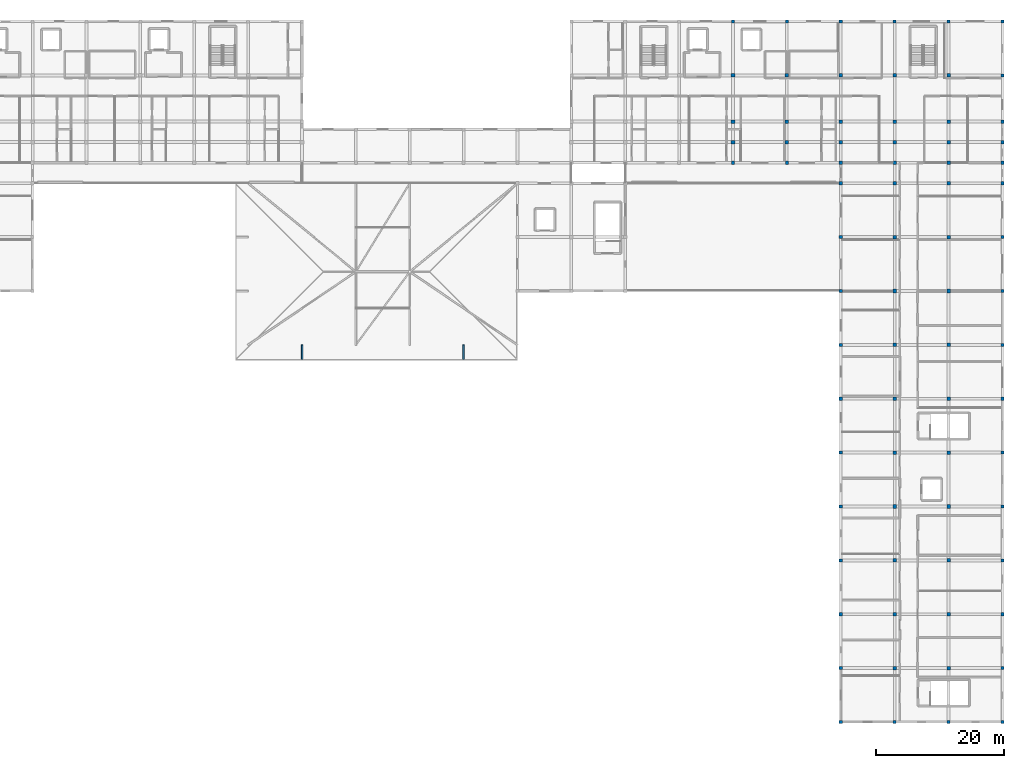
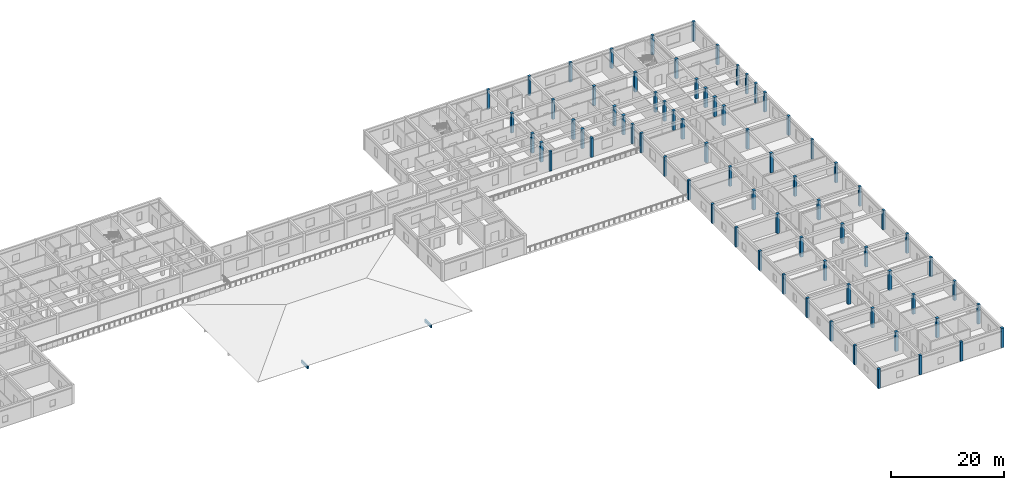
# One storey, part 2 of 28: 74 columns, 2 beams.
"""IFC4 building model written with IfcOpenShell, lengths in metres."""

from ifc_helpers import new_model, si_unit, direction, frame, origin, origin_2d, place, context, subcontext, project, spatial, rectangle, extrude, material, material_profile, profile_set, type_object, element, save


model = new_model("IFC4")

# Units and contexts
model_context = context("Model", 3, precision=1e-05, world=origin(), true_north=direction((0.0, 1.0)))
body_context = subcontext(model_context, "Body", "Model", "MODEL_VIEW")
ifc_project = project(units=[si_unit("LENGTHUNIT", "METRE"), si_unit("AREAUNIT", "SQUARE_METRE"), si_unit("VOLUMEUNIT", "CUBIC_METRE"), si_unit("PLANEANGLEUNIT", "RADIAN"), si_unit("MASSUNIT", "GRAM", prefix="KILO")], contexts=[model_context])

# Site, building, storey
site_placement = place(None, origin())
site = spatial("IfcSite", under=ifc_project, at=site_placement, CompositionType="ELEMENT")
building_placement = place(site_placement, origin())
building = spatial("IfcBuilding", under=site, at=building_placement, Name="Varncliffe General Hospital", CompositionType="ELEMENT")
storey_placement = place(building_placement, frame((0.0, 0.0, 24.60009765625)))
storey = spatial("IfcBuildingStorey", under=building, at=storey_placement, Name="L05", CompositionType="ELEMENT", Elevation=24.60009765625)

# Columns
ifc_material_1 = material(Name="Concrete C40/50 (CSA A23.1 40 MPa)", Category="concrete")
ifc_material_profile_1 = material_profile(ifc_material_1, rectangle(XDim=0.5, YDim=0.5, at=origin_2d()), Name="RC 500x500")
ifc_profile_set_1 = profile_set([ifc_material_profile_1], Name="Concrete C40/50 (CSA A23.1 40 MPa)")
column_type_1 = type_object("IfcColumnType", Name="Column C65 (Ext RC 500x500)", PredefinedType="COLUMN", material=ifc_profile_set_1)
for number, where, z_axis, x_axis, name in (
    (1, (134.39990234375, 102.800048828125, 0.0), (0.0, 0.0, 1.0), (1.0, 0.0, 0.0), "L05 Column C65"),
    (2, (134.39990234375, 124.800048828125, 0.0), (0.0, 0.0, 1.0), (1.0, 0.0, 0.0), "L05 Column C65"),
    (3, (142.800048828125, 102.800048828125, 0.0), (0.0, 0.0, 1.0), (1.0, 0.0, 0.0), "L05 Column C65"),
    (4, (142.800048828125, 124.800048828125, 0.0), (0.0, 0.0, 1.0), (1.0, 0.0, 0.0), "L05 Column C65"),
    (5, (151.199951171875, 15.60009765625, 0.0), (0.0, 0.0, 1.0), (1.0, 0.0, 0.0), "L05 Column C65"),
    (6, (151.199951171875, 24.0, 0.0), (0.0, 0.0, 1.0), (1.0, 0.0, 0.0), "L05 Column C65"),
    (7, (151.199951171875, 32.39990234375, 0.0), (0.0, 0.0, 1.0), (1.0, 0.0, 0.0), "L05 Column C65"),
    (8, (151.199951171875, 40.800048828125, 0.0), (0.0, 0.0, 1.0), (1.0, 0.0, 0.0), "L05 Column C65"),
    (9, (151.199951171875, 49.199951171875, 0.0), (0.0, 0.0, 1.0), (1.0, 0.0, 0.0), "L05 Column C65"),
    (10, (151.199951171875, 57.60009765625, 0.0), (0.0, 0.0, 1.0), (1.0, 0.0, 0.0), "L05 Column C65"),
    (11, (151.199951171875, 66.0, 0.0), (0.0, 0.0, 1.0), (1.0, 0.0, 0.0), "L05 Column C65"),
    (12, (151.199951171875, 74.39990234375, 0.0), (0.0, 0.0, 1.0), (1.0, 0.0, 0.0), "L05 Column C65"),
    (13, (151.199951171875, 82.800048828125, 0.0), (0.0, 0.0, 1.0), (1.0, 0.0, 0.0), "L05 Column C65"),
    (14, (151.199951171875, 91.199951171875, 0.0), (0.0, 0.0, 1.0), (1.0, 0.0, 0.0), "L05 Column C65"),
    (15, (151.199951171875, 99.60009765625, 0.0), (0.0, 0.0, 1.0), (1.0, 0.0, 0.0), "L05 Column C65"),
    (16, (151.199951171875, 102.800048828125, 0.0), (0.0, 0.0, 1.0), (1.0, 0.0, 0.0), "L05 Column C65"),
    (17, (151.199951171875, 124.800048828125, 0.0), (0.0, 0.0, 1.0), (1.0, 0.0, 0.0), "L05 Column C65"),
    (18, (159.60009765625, 15.60009765625, 0.0), (0.0, 0.0, 1.0), (1.0, 0.0, 0.0), "L05 Column C65"),
    (19, (159.60009765625, 124.800048828125, 0.0), (0.0, 0.0, 1.0), (1.0, 0.0, 0.0), "L05 Column C65"),
    (20, (168.0, 15.60009765625, 0.0), (0.0, 0.0, 1.0), (1.0, 0.0, 0.0), "L05 Column C65"),
    (21, (168.0, 124.800048828125, 0.0), (0.0, 0.0, 1.0), (1.0, 0.0, 0.0), "L05 Column C65"),
    (22, (176.39990234375, 15.60009765625, 0.0), (0.0, 0.0, 1.0), (1.0, 0.0, 0.0), "L05 Column C65"),
    (23, (176.39990234375, 24.0, 0.0), (0.0, 0.0, 1.0), (1.0, 0.0, 0.0), "L05 Column C65"),
    (24, (176.39990234375, 32.39990234375, 0.0), (0.0, 0.0, 1.0), (1.0, 0.0, 0.0), "L05 Column C65"),
    (25, (176.39990234375, 40.800048828125, 0.0), (0.0, 0.0, 1.0), (1.0, 0.0, 0.0), "L05 Column C65"),
    (26, (176.39990234375, 49.199951171875, 0.0), (0.0, 0.0, 1.0), (1.0, 0.0, 0.0), "L05 Column C65"),
    (27, (176.39990234375, 57.60009765625, 0.0), (0.0, 0.0, 1.0), (1.0, 0.0, 0.0), "L05 Column C65"),
    (28, (176.39990234375, 66.0, 0.0), (0.0, 0.0, 1.0), (1.0, 0.0, 0.0), "L05 Column C65"),
    (29, (176.39990234375, 74.39990234375, 0.0), (0.0, 0.0, 1.0), (1.0, 0.0, 0.0), "L05 Column C65"),
    (30, (176.39990234375, 82.800048828125, 0.0), (0.0, 0.0, 1.0), (1.0, 0.0, 0.0), "L05 Column C65"),
    (31, (176.39990234375, 91.199951171875, 0.0), (0.0, 0.0, 1.0), (1.0, 0.0, 0.0), "L05 Column C65"),
    (32, (176.39990234375, 99.60009765625, 0.0), (0.0, 0.0, 1.0), (1.0, 0.0, 0.0), "L05 Column C65"),
    (33, (176.39990234375, 102.800048828125, 0.0), (0.0, 0.0, 1.0), (1.0, 0.0, 0.0), "L05 Column C65"),
    (34, (176.39990234375, 106.0, 0.0), (0.0, 0.0, 1.0), (1.0, 0.0, 0.0), "L05 Column C65"),
    (35, (176.39990234375, 109.199951171875, 0.0), (0.0, 0.0, 1.0), (1.0, 0.0, 0.0), "L05 Column C65"),
    (36, (176.39990234375, 116.39990234375, 0.0), (0.0, 0.0, 1.0), (1.0, 0.0, 0.0), "L05 Column C65"),
    (37, (176.39990234375, 124.800048828125, 0.0), (0.0, 0.0, 1.0), (1.0, 0.0, 0.0), "L05 Column C65"),
):
    element("IfcColumn", number, at=place(storey_placement, frame(where, z_axis=z_axis, x_axis=x_axis)), inside=storey, type_object=column_type_1, Name=name, PredefinedType="COLUMN", context=body_context, shape_type="SweptSolid", body=[
        extrude(rectangle(XDim=0.5, YDim=0.5, at=origin_2d()), origin(), (0.0, 0.0, 1.0), 4.199951171875),
    ])
ifc_material_profile_2 = material_profile(ifc_material_1, rectangle(XDim=0.550048828125, YDim=0.550048828125, at=origin_2d()), Name="RC 550x550")
ifc_profile_set_2 = profile_set([ifc_material_profile_2], Name="Concrete C40/50 (CSA A23.1 40 MPa)")
column_type_2 = type_object("IfcColumnType", Name="Column C85 (Int RC 550x550)", PredefinedType="COLUMN", material=ifc_profile_set_2)
for number, where, z_axis, x_axis, name in (
    (38, (134.39990234375, 106.0, 0.0), (0.0, 0.0, 1.0), (1.0, 0.0, 0.0), "L05 Column C85"),
    (39, (134.39990234375, 109.199951171875, 0.0), (0.0, 0.0, 1.0), (1.0, 0.0, 0.0), "L05 Column C85"),
    (40, (134.39990234375, 116.39990234375, 0.0), (0.0, 0.0, 1.0), (1.0, 0.0, 0.0), "L05 Column C85"),
    (41, (142.800048828125, 106.0, 0.0), (0.0, 0.0, 1.0), (1.0, 0.0, 0.0), "L05 Column C85"),
    (42, (142.800048828125, 109.199951171875, 0.0), (0.0, 0.0, 1.0), (1.0, 0.0, 0.0), "L05 Column C85"),
    (43, (142.800048828125, 116.39990234375, 0.0), (0.0, 0.0, 1.0), (1.0, 0.0, 0.0), "L05 Column C85"),
    (44, (151.199951171875, 106.0, 0.0), (0.0, 0.0, 1.0), (1.0, 0.0, 0.0), "L05 Column C85"),
    (45, (151.199951171875, 109.199951171875, 0.0), (0.0, 0.0, 1.0), (1.0, 0.0, 0.0), "L05 Column C85"),
    (46, (151.199951171875, 116.39990234375, 0.0), (0.0, 0.0, 1.0), (1.0, 0.0, 0.0), "L05 Column C85"),
    (47, (159.60009765625, 24.0, 0.0), (0.0, 0.0, 1.0), (1.0, 0.0, 0.0), "L05 Column C85"),
    (48, (159.60009765625, 32.39990234375, 0.0), (0.0, 0.0, 1.0), (1.0, 0.0, 0.0), "L05 Column C85"),
    (49, (159.60009765625, 40.800048828125, 0.0), (0.0, 0.0, 1.0), (1.0, 0.0, 0.0), "L05 Column C85"),
    (50, (159.60009765625, 49.199951171875, 0.0), (0.0, 0.0, 1.0), (1.0, 0.0, 0.0), "L05 Column C85"),
    (51, (159.60009765625, 57.60009765625, 0.0), (0.0, 0.0, 1.0), (1.0, 0.0, 0.0), "L05 Column C85"),
    (52, (159.60009765625, 66.0, 0.0), (0.0, 0.0, 1.0), (1.0, 0.0, 0.0), "L05 Column C85"),
    (53, (159.60009765625, 74.39990234375, 0.0), (0.0, 0.0, 1.0), (1.0, 0.0, 0.0), "L05 Column C85"),
    (54, (159.60009765625, 82.800048828125, 0.0), (0.0, 0.0, 1.0), (1.0, 0.0, 0.0), "L05 Column C85"),
    (55, (159.60009765625, 91.199951171875, 0.0), (0.0, 0.0, 1.0), (1.0, 0.0, 0.0), "L05 Column C85"),
    (56, (159.60009765625, 99.60009765625, 0.0), (0.0, 0.0, 1.0), (1.0, 0.0, 0.0), "L05 Column C85"),
    (57, (159.60009765625, 102.800048828125, 0.0), (0.0, 0.0, 1.0), (1.0, 0.0, 0.0), "L05 Column C85"),
    (58, (159.60009765625, 106.0, 0.0), (0.0, 0.0, 1.0), (1.0, 0.0, 0.0), "L05 Column C85"),
    (59, (159.60009765625, 109.199951171875, 0.0), (0.0, 0.0, 1.0), (1.0, 0.0, 0.0), "L05 Column C85"),
    (60, (159.60009765625, 116.39990234375, 0.0), (0.0, 0.0, 1.0), (1.0, 0.0, 0.0), "L05 Column C85"),
    (61, (168.0, 24.0, 0.0), (0.0, 0.0, 1.0), (1.0, 0.0, 0.0), "L05 Column C85"),
    (62, (168.0, 32.39990234375, 0.0), (0.0, 0.0, 1.0), (1.0, 0.0, 0.0), "L05 Column C85"),
    (63, (168.0, 40.800048828125, 0.0), (0.0, 0.0, 1.0), (1.0, 0.0, 0.0), "L05 Column C85"),
    (64, (168.0, 49.199951171875, 0.0), (0.0, 0.0, 1.0), (1.0, 0.0, 0.0), "L05 Column C85"),
    (65, (168.0, 57.60009765625, 0.0), (0.0, 0.0, 1.0), (1.0, 0.0, 0.0), "L05 Column C85"),
    (66, (168.0, 66.0, 0.0), (0.0, 0.0, 1.0), (1.0, 0.0, 0.0), "L05 Column C85"),
    (67, (168.0, 74.39990234375, 0.0), (0.0, 0.0, 1.0), (1.0, 0.0, 0.0), "L05 Column C85"),
    (68, (168.0, 82.800048828125, 0.0), (0.0, 0.0, 1.0), (1.0, 0.0, 0.0), "L05 Column C85"),
    (69, (168.0, 91.199951171875, 0.0), (0.0, 0.0, 1.0), (1.0, 0.0, 0.0), "L05 Column C85"),
    (70, (168.0, 99.60009765625, 0.0), (0.0, 0.0, 1.0), (1.0, 0.0, 0.0), "L05 Column C85"),
    (71, (168.0, 102.800048828125, 0.0), (0.0, 0.0, 1.0), (1.0, 0.0, 0.0), "L05 Column C85"),
    (72, (168.0, 106.0, 0.0), (0.0, 0.0, 1.0), (1.0, 0.0, 0.0), "L05 Column C85"),
    (73, (168.0, 109.199951171875, 0.0), (0.0, 0.0, 1.0), (1.0, 0.0, 0.0), "L05 Column C85"),
    (74, (168.0, 116.39990234375, 0.0), (0.0, 0.0, 1.0), (1.0, 0.0, 0.0), "L05 Column C85"),
):
    element("IfcColumn", number, at=place(storey_placement, frame(where, z_axis=z_axis, x_axis=x_axis)), inside=storey, type_object=column_type_2, Name=name, PredefinedType="COLUMN", context=body_context, shape_type="SweptSolid", body=[
        extrude(rectangle(XDim=0.550048828125, YDim=0.550048828125, at=origin_2d()), origin(), (0.0, 0.0, 1.0), 4.199951171875),
    ])

# Beams
ifc_material_2 = material(Name="Glulam GL28h (CSA O86 24f-EX, 30 MPa)", Category="wood")
ifc_material_profile_3 = material_profile(ifc_material_2, rectangle(XDim=0.264892578125, YDim=0.60791015625, at=origin_2d()), Name="GL 265x608")
ifc_profile_set_3 = profile_set([ifc_material_profile_3], Name="Glulam GL28h (CSA O86 24f-EX, 30 MPa)")
beam_type = type_object("IfcBeamType", Name="Beam B82 (Ext GL 265x608)", PredefinedType="BEAM", material=ifc_profile_set_3)
for number, where, z_axis, x_axis, name in (
    (75, (67.199951171875, 72.139892578125, -0.49072265625), (0.0, 1.0, 0.0), (-1.0, 0.0, 0.0), "L05 RF-V4-OR South Eave Lookout Bracket 1"),
    (76, (92.39990234375, 72.139892578125, -0.49072265625), (0.0, 1.0, 0.0), (-1.0, 0.0, 0.0), "L05 RF-V4-OR South Eave Lookout Bracket 2"),
):
    element("IfcBeam", number, at=place(storey_placement, frame(where, z_axis=z_axis, x_axis=x_axis)), inside=storey, type_object=beam_type, Name=name, PredefinedType="BEAM", context=body_context, shape_type="SweptSolid", body=[
        extrude(rectangle(XDim=0.264892578125, YDim=0.60791015625, at=origin_2d()), origin(), (0.0, 0.0, 1.0), 2.260009765625),
    ])

save(model, "model.ifc")
